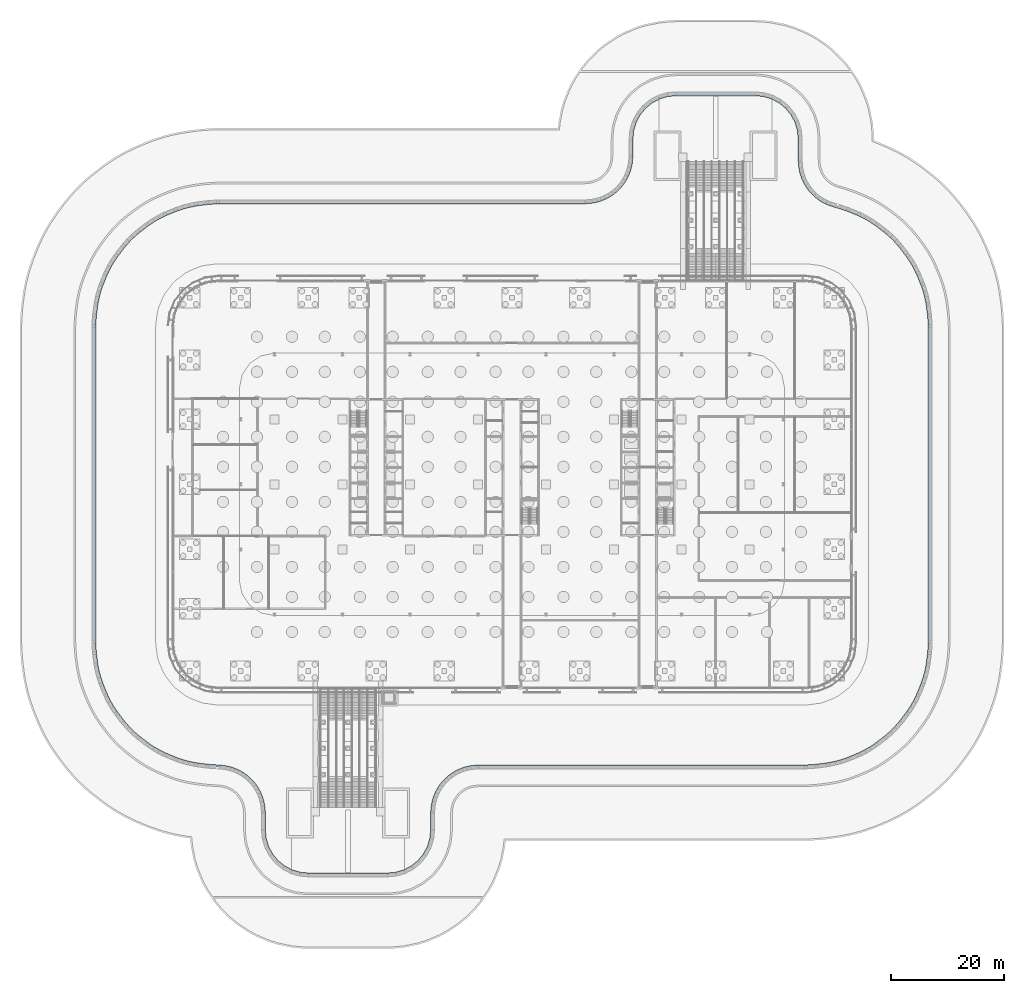
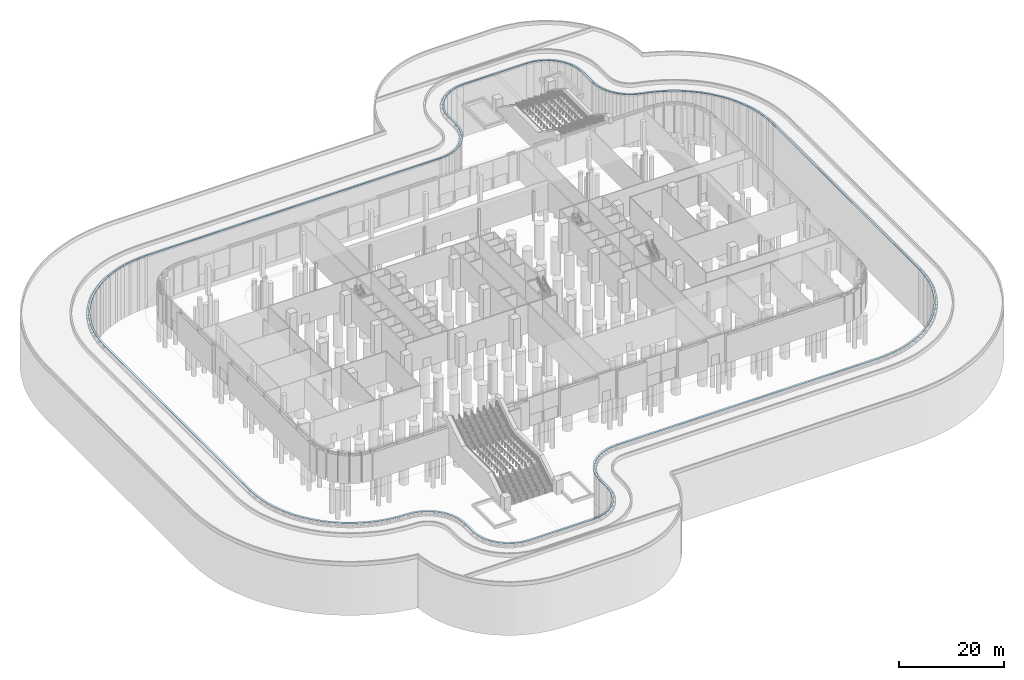
# One storey, part 17 of 48: 1 slab.
"""IFC4 building model written with IfcOpenShell, lengths in metres."""

from ifc_helpers import new_model, si_unit, direction, frame, origin, place, context, subcontext, project, spatial, polyline, outline, extrude, material, layer, layer_set, type_object, element, save


model = new_model("IFC4")

# Units and contexts
model_context = context("Model", 3, precision=1e-05, world=origin(), true_north=direction((0.0, 1.0)))
body_context = subcontext(model_context, "Body", "Model", "MODEL_VIEW")
ifc_project = project(units=[si_unit("LENGTHUNIT", "METRE"), si_unit("AREAUNIT", "SQUARE_METRE"), si_unit("VOLUMEUNIT", "CUBIC_METRE"), si_unit("PLANEANGLEUNIT", "RADIAN"), si_unit("MASSUNIT", "GRAM", prefix="KILO")], contexts=[model_context])

# Site, building, storey
site_placement = place(None, origin())
site = spatial("IfcSite", under=ifc_project, at=site_placement, CompositionType="ELEMENT")
building_placement = place(site_placement, origin())
building = spatial("IfcBuilding", under=site, at=building_placement, Name="Mahtab Terrace Research Tower", CompositionType="ELEMENT")
storey_placement = place(building_placement, origin())
storey = spatial("IfcBuildingStorey", under=building, at=storey_placement, Name="G", CompositionType="ELEMENT", Elevation=0.0)

# Slab
ifc_material = material(Name="Granite paving", Category="masonry")
ifc_layer = layer(ifc_material, 0.169921875)
ifc_layer_set = layer_set([ifc_layer], Name="Granite kerb 400")
slab_type = type_object("IfcSlabType", Name="Granite kerb 400", PredefinedType="USERDEFINED", material=ifc_layer_set)
slab_placement = place(storey_placement, frame((0.0, 0.0, -0.010009765625)))
element("IfcSlab", 1, at=slab_placement, inside=storey, type_object=slab_type, Name="Plaza kerb", ObjectType="KERB", PredefinedType="USERDEFINED", context=body_context, shape_type="SweptSolid", body=[
    extrude(outline(polyline([(-73.0810546875, 34.19189453125), (-72.7451171875, 35.180908203125), (-72.56103515625, 35.669921875), (-71.9619140625, 37.115966796875), (-71.7470703125, 37.592041015625), (-71.284912109375, 38.529052734375), (-70.761962890625, 39.43505859375), (-70.181884765625, 40.302978515625), (-69.876953125, 40.72802734375), (-68.925048828125, 41.969970703125), (-68.592041015625, 42.375), (-67.903076171875, 43.162109375), (-67.162109375, 43.903076171875), (-66.375, 44.593017578125), (-65.969970703125, 44.925048828125), (-64.72802734375, 45.876953125), (-64.302978515625, 46.181884765625), (-63.43505859375, 46.761962890625), (-62.529052734375, 47.284912109375), (-61.592041015625, 47.7470703125), (-61.115966796875, 47.962890625), (-59.669921875, 48.56103515625), (-59.180908203125, 48.74609375), (-58.19189453125, 49.0810546875), (-57.181884765625, 49.35205078125), (-56.156982421875, 49.555908203125), (-55.64111328125, 49.64111328125), (-54.090087890625, 49.845947265625), (-53.568115234375, 49.89697265625), (-52.261962890625, 49.98291015625), (-51.738037109375, 50.0), (12.803955078125, 50.0), (13.195068359375, 50.01904296875), (14.169921875, 50.114990234375), (14.93701171875, 50.26806640625), (15.68505859375, 50.4951171875), (16.407958984375, 50.7939453125), (17.097900390625, 51.1630859375), (17.748046875, 51.597900390625), (18.35302734375, 52.093994140625), (18.906005859375, 52.64697265625), (19.402099609375, 53.251953125), (19.8369140625, 53.902099609375), (20.2060546875, 54.592041015625), (20.5048828125, 55.31494140625), (20.73193359375, 56.06298828125), (20.885009765625, 56.830078125), (20.98095703125, 57.804931640625), (21.0, 58.196044921875), (21.0, 61.114990234375), (21.154052734375, 62.676025390625), (21.60888671875, 64.176025390625), (22.347900390625, 65.56005859375), (23.343017578125, 66.77197265625), (24.554931640625, 67.76708984375), (25.93896484375, 68.506103515625), (27.43896484375, 68.9609375), (29.0, 69.114990234375), (43.0, 69.114990234375), (44.56103515625, 68.9609375), (46.06103515625, 68.506103515625), (47.445068359375, 67.76708984375), (48.656982421875, 66.77197265625), (49.652099609375, 65.56005859375), (50.39111328125, 64.176025390625), (50.845947265625, 62.676025390625), (51.0, 61.114990234375), (51.0, 57.343017578125), (51.01904296875, 56.951904296875), (51.114990234375, 55.97705078125), (51.26806640625, 55.2099609375), (51.4951171875, 54.4619140625), (51.7939453125, 53.739013671875), (52.1630859375, 53.049072265625), (52.596923828125, 52.39892578125), (53.093017578125, 51.7939453125), (53.64697265625, 51.240966796875), (54.2509765625, 50.7451171875), (54.90087890625, 50.31005859375), (55.591064453125, 49.94189453125), (56.31396484375, 49.64208984375), (57.375, 49.320068359375), (57.501953125, 49.283935546875), (57.68994140625, 49.23291015625), (58.19091796875, 49.0810546875), (59.180908203125, 48.7451171875), (59.669921875, 48.56103515625), (61.115966796875, 47.9619140625), (61.592041015625, 47.7470703125), (62.529052734375, 47.284912109375), (63.43505859375, 46.761962890625), (64.302978515625, 46.181884765625), (64.72802734375, 45.876953125), (65.969970703125, 44.925048828125), (66.375, 44.592041015625), (67.162109375, 43.903076171875), (67.903076171875, 43.162109375), (68.593017578125, 42.375), (68.925048828125, 41.969970703125), (69.876953125, 40.72802734375), (70.181884765625, 40.302978515625), (70.761962890625, 39.43505859375), (71.284912109375, 38.529052734375), (71.7470703125, 37.592041015625), (71.962890625, 37.115966796875), (72.56103515625, 35.669921875), (72.74609375, 35.180908203125), (73.0810546875, 34.19189453125), (73.35205078125, 33.181884765625), (73.555908203125, 32.156982421875), (73.64111328125, 31.64111328125), (73.845947265625, 30.090087890625), (73.89697265625, 29.568115234375), (73.98291015625, 28.261962890625), (74.0, 27.738037109375), (74.0, -27.738037109375), (73.98291015625, -28.261962890625), (73.89697265625, -29.568115234375), (73.845947265625, -30.090087890625), (73.64111328125, -31.64111328125), (73.555908203125, -32.156982421875), (73.35205078125, -33.181884765625), (73.0810546875, -34.19189453125), (72.7451171875, -35.180908203125), (72.56103515625, -35.669921875), (71.9619140625, -37.115966796875), (71.7470703125, -37.592041015625), (71.284912109375, -38.529052734375), (70.761962890625, -39.43505859375), (70.181884765625, -40.302978515625), (69.876953125, -40.72802734375), (68.925048828125, -41.969970703125), (68.592041015625, -42.375), (67.903076171875, -43.162109375), (67.162109375, -43.903076171875), (66.375, -44.593017578125), (65.969970703125, -44.925048828125), (64.72802734375, -45.876953125), (64.302978515625, -46.181884765625), (63.43505859375, -46.761962890625), (62.529052734375, -47.284912109375), (61.592041015625, -47.7470703125), (61.115966796875, -47.962890625), (59.669921875, -48.56103515625), (59.180908203125, -48.74609375), (58.19189453125, -49.0810546875), (57.181884765625, -49.35205078125), (56.156982421875, -49.555908203125), (55.64111328125, -49.64111328125), (54.090087890625, -49.845947265625), (53.568115234375, -49.89697265625), (52.261962890625, -49.98291015625), (51.738037109375, -50.0), (-5.803955078125, -50.0), (-6.195068359375, -50.01904296875), (-7.169921875, -50.114990234375), (-7.93701171875, -50.26806640625), (-8.68505859375, -50.4951171875), (-9.407958984375, -50.7939453125), (-10.097900390625, -51.1630859375), (-10.748046875, -51.597900390625), (-11.35302734375, -52.093994140625), (-11.906005859375, -52.64697265625), (-12.402099609375, -53.251953125), (-12.8369140625, -53.902099609375), (-13.2060546875, -54.592041015625), (-13.5048828125, -55.31494140625), (-13.73193359375, -56.06298828125), (-13.885009765625, -56.830078125), (-13.98095703125, -57.804931640625), (-14.0, -58.196044921875), (-14.0, -61.114990234375), (-14.154052734375, -62.676025390625), (-14.60888671875, -64.176025390625), (-15.347900390625, -65.56005859375), (-16.343017578125, -66.77197265625), (-17.554931640625, -67.76708984375), (-18.93896484375, -68.506103515625), (-20.43896484375, -68.9609375), (-22.0, -69.114990234375), (-36.0, -69.114990234375), (-37.56103515625, -68.9609375), (-39.06103515625, -68.506103515625), (-40.445068359375, -67.76708984375), (-41.656982421875, -66.77197265625), (-42.652099609375, -65.56005859375), (-43.39111328125, -64.176025390625), (-43.845947265625, -62.676025390625), (-44.0, -61.114990234375), (-44.0, -58.19189453125), (-44.01806640625, -57.80908203125), (-44.110107421875, -56.85400390625), (-44.257080078125, -56.10302734375), (-44.47509765625, -55.367919921875), (-44.761962890625, -54.657958984375), (-45.115966796875, -53.97900390625), (-45.533935546875, -53.3369140625), (-46.010986328125, -52.738037109375), (-46.5439453125, -52.18701171875), (-47.126953125, -51.68994140625), (-47.7548828125, -51.251953125), (-48.423095703125, -50.875), (-49.123046875, -50.56494140625), (-49.85009765625, -50.322998046875), (-50.596923828125, -50.152099609375), (-51.547119140625, -50.029052734375), (-51.929931640625, -49.998046875), (-52.0, -49.99609375), (-52.261962890625, -49.98291015625), (-53.568115234375, -49.89697265625), (-54.090087890625, -49.845947265625), (-55.64111328125, -49.64111328125), (-56.156982421875, -49.555908203125), (-57.181884765625, -49.35205078125), (-58.19189453125, -49.0810546875), (-59.180908203125, -48.7451171875), (-59.669921875, -48.56103515625), (-61.115966796875, -47.9619140625), (-61.592041015625, -47.7470703125), (-62.529052734375, -47.284912109375), (-63.43505859375, -46.761962890625), (-64.302978515625, -46.181884765625), (-64.72802734375, -45.876953125), (-65.969970703125, -44.925048828125), (-66.375, -44.592041015625), (-67.162109375, -43.903076171875), (-67.903076171875, -43.162109375), (-68.593017578125, -42.375), (-68.925048828125, -41.969970703125), (-69.876953125, -40.72802734375), (-70.181884765625, -40.302978515625), (-70.761962890625, -39.43505859375), (-71.284912109375, -38.529052734375), (-71.7470703125, -37.592041015625), (-71.962890625, -37.115966796875), (-72.56103515625, -35.669921875), (-72.74609375, -35.180908203125), (-73.0810546875, -34.19189453125), (-73.35205078125, -33.181884765625), (-73.555908203125, -32.156982421875), (-73.64111328125, -31.64111328125), (-73.845947265625, -30.090087890625), (-73.89697265625, -29.568115234375), (-73.98291015625, -28.261962890625), (-74.0, -27.738037109375), (-74.0, 27.738037109375), (-73.98291015625, 28.261962890625), (-73.89697265625, 29.568115234375), (-73.845947265625, 30.090087890625), (-73.64111328125, 31.64111328125), (-73.555908203125, 32.156982421875), (-73.35205078125, 33.181884765625), (-73.0810546875, 34.19189453125)]), holes=[polyline([(-73.162109375, 32.0859375), (-73.2451171875, 31.5830078125), (-73.447998046875, 30.0439453125), (-73.498046875, 29.534912109375), (-73.5830078125, 28.241943359375), (-73.60009765625, 27.73095703125), (-73.60009765625, -27.73095703125), (-73.5830078125, -28.241943359375), (-73.498046875, -29.534912109375), (-73.447998046875, -30.0439453125), (-73.2451171875, -31.58203125), (-73.162109375, -32.0859375), (-72.9619140625, -33.091064453125), (-72.697998046875, -34.074951171875), (-72.368896484375, -35.0458984375), (-72.18896484375, -35.52294921875), (-71.595947265625, -36.9560546875), (-71.385009765625, -37.4208984375), (-70.931884765625, -38.340087890625), (-70.422119140625, -39.222900390625), (-69.85302734375, -40.074951171875), (-69.555908203125, -40.489990234375), (-68.612060546875, -41.720947265625), (-68.2880859375, -42.115966796875), (-67.611083984375, -42.887939453125), (-66.887939453125, -43.611083984375), (-66.115966796875, -44.287109375), (-65.720947265625, -44.612060546875), (-64.489990234375, -45.555908203125), (-64.075927734375, -45.85302734375), (-63.222900390625, -46.422119140625), (-62.340087890625, -46.931884765625), (-61.4208984375, -47.385009765625), (-60.95703125, -47.594970703125), (-59.52294921875, -48.18896484375), (-59.0458984375, -48.368896484375), (-58.075927734375, -48.697998046875), (-57.091064453125, -48.9619140625), (-56.0859375, -49.162109375), (-55.5830078125, -49.2451171875), (-54.0439453125, -49.447998046875), (-53.534912109375, -49.498046875), (-52.239013671875, -49.5830078125), (-51.98291015625, -49.595947265625), (-51.9169921875, -49.597900390625), (-51.89794921875, -49.59912109375), (-51.514892578125, -49.6298828125), (-51.49609375, -49.632080078125), (-50.544921875, -49.756103515625), (-50.507080078125, -49.761962890625), (-49.760986328125, -49.93310546875), (-49.72412109375, -49.944091796875), (-48.9970703125, -50.18505859375), (-48.9609375, -50.198974609375), (-48.260986328125, -50.510009765625), (-48.22607421875, -50.527099609375), (-47.55908203125, -50.903076171875), (-47.52587890625, -50.924072265625), (-46.89794921875, -51.362060546875), (-46.867919921875, -51.385986328125), (-46.284912109375, -51.883056640625), (-46.257080078125, -51.908935546875), (-45.72412109375, -52.458984375), (-45.698974609375, -52.488037109375), (-45.220947265625, -53.0869140625), (-45.198974609375, -53.117919921875), (-44.781005859375, -53.760986328125), (-44.761962890625, -53.7939453125), (-44.406982421875, -54.472900390625), (-44.39111328125, -54.508056640625), (-44.10400390625, -55.218017578125), (-44.091064453125, -55.25390625), (-43.873046875, -55.989013671875), (-43.864013671875, -56.02587890625), (-43.718017578125, -56.778076171875), (-43.7119140625, -56.81591796875), (-43.6201171875, -57.77001953125), (-43.618896484375, -57.7890625), (-43.60009765625, -58.173095703125), (-43.60009765625, -58.19189453125), (-43.60009765625, -61.094970703125), (-43.451904296875, -62.596923828125), (-43.02001953125, -64.02294921875), (-42.318115234375, -65.3359375), (-41.373046875, -66.488037109375), (-40.220947265625, -67.43310546875), (-38.907958984375, -68.135009765625), (-37.48193359375, -68.56689453125), (-35.97998046875, -68.715087890625), (-22.02001953125, -68.715087890625), (-20.51806640625, -68.56689453125), (-19.092041015625, -68.135009765625), (-17.779052734375, -67.43310546875), (-16.626953125, -66.488037109375), (-15.681884765625, -65.3359375), (-14.97998046875, -64.02294921875), (-14.548095703125, -62.596923828125), (-14.39990234375, -61.094970703125), (-14.39990234375, -58.196044921875), (-14.39990234375, -58.177001953125), (-14.3798828125, -57.784912109375), (-14.37890625, -57.764892578125), (-14.282958984375, -56.791015625), (-14.277099609375, -56.751953125), (-14.125, -55.985107421875), (-14.114990234375, -55.947021484375), (-13.887939453125, -55.198974609375), (-13.875, -55.162109375), (-13.574951171875, -54.43896484375), (-13.55908203125, -54.403076171875), (-13.18994140625, -53.712890625), (-13.169921875, -53.679931640625), (-12.735107421875, -53.029052734375), (-12.7119140625, -52.998046875), (-12.215087890625, -52.39306640625), (-12.18896484375, -52.364013671875), (-11.635986328125, -51.81103515625), (-11.60693359375, -51.784912109375), (-11.001953125, -51.2880859375), (-10.970947265625, -51.264892578125), (-10.320068359375, -50.830078125), (-10.287109375, -50.81005859375), (-9.596923828125, -50.44091796875), (-9.56103515625, -50.425048828125), (-8.837890625, -50.125), (-8.801025390625, -50.112060546875), (-8.052978515625, -49.885009765625), (-8.014892578125, -49.875), (-7.248046875, -49.722900390625), (-7.208984375, -49.717041015625), (-6.235107421875, -49.62109375), (-6.215087890625, -49.6201171875), (-5.822998046875, -49.60009765625), (-5.803955078125, -49.60009765625), (51.73095703125, -49.60009765625), (52.241943359375, -49.5830078125), (53.534912109375, -49.498046875), (54.0439453125, -49.447998046875), (55.58203125, -49.2451171875), (56.0859375, -49.162109375), (57.091064453125, -48.9619140625), (58.074951171875, -48.697998046875), (59.0458984375, -48.368896484375), (59.52294921875, -48.18896484375), (60.9560546875, -47.595947265625), (61.4208984375, -47.385009765625), (62.340087890625, -46.931884765625), (63.222900390625, -46.422119140625), (64.074951171875, -45.85302734375), (64.489990234375, -45.555908203125), (65.720947265625, -44.612060546875), (66.115966796875, -44.2880859375), (66.887939453125, -43.611083984375), (67.611083984375, -42.887939453125), (68.287109375, -42.115966796875), (68.612060546875, -41.720947265625), (69.555908203125, -40.489990234375), (69.85302734375, -40.075927734375), (70.422119140625, -39.222900390625), (70.931884765625, -38.340087890625), (71.385009765625, -37.4208984375), (71.594970703125, -36.95703125), (72.18896484375, -35.52294921875), (72.368896484375, -35.0458984375), (72.697998046875, -34.075927734375), (72.9619140625, -33.091064453125), (73.162109375, -32.0859375), (73.2451171875, -31.5830078125), (73.447998046875, -30.0439453125), (73.498046875, -29.534912109375), (73.5830078125, -28.241943359375), (73.60009765625, -27.73095703125), (73.60009765625, 27.73095703125), (73.5830078125, 28.241943359375), (73.498046875, 29.534912109375), (73.447998046875, 30.0439453125), (73.2451171875, 31.58203125), (73.162109375, 32.0859375), (72.9619140625, 33.091064453125), (72.697998046875, 34.074951171875), (72.368896484375, 35.0458984375), (72.18896484375, 35.52294921875), (71.595947265625, 36.9560546875), (71.385009765625, 37.4208984375), (70.931884765625, 38.340087890625), (70.422119140625, 39.222900390625), (69.85302734375, 40.074951171875), (69.555908203125, 40.489990234375), (68.612060546875, 41.720947265625), (68.2880859375, 42.115966796875), (67.611083984375, 42.887939453125), (66.887939453125, 43.611083984375), (66.115966796875, 44.287109375), (65.720947265625, 44.612060546875), (64.489990234375, 45.555908203125), (64.075927734375, 45.85302734375), (63.222900390625, 46.422119140625), (62.340087890625, 46.931884765625), (61.4208984375, 47.385009765625), (60.95703125, 47.594970703125), (59.52294921875, 48.18896484375), (59.0458984375, 48.368896484375), (58.069091796875, 48.699951171875), (57.580078125, 48.84912109375), (57.39794921875, 48.89794921875), (57.39208984375, 48.89892578125), (57.26611328125, 48.93505859375), (57.259033203125, 48.93701171875), (56.197998046875, 49.259033203125), (56.160888671875, 49.27294921875), (55.43798828125, 49.572021484375), (55.403076171875, 49.589111328125), (54.712890625, 49.9580078125), (54.678955078125, 49.97802734375), (54.029052734375, 50.412109375), (53.9970703125, 50.43603515625), (53.39306640625, 50.931884765625), (53.364013671875, 50.9580078125), (52.81103515625, 51.510986328125), (52.783935546875, 51.541015625), (52.2880859375, 52.14501953125), (52.264892578125, 52.177001953125), (51.830078125, 52.826904296875), (51.81005859375, 52.861083984375), (51.44091796875, 53.551025390625), (51.425048828125, 53.5859375), (51.125, 54.30908203125), (51.112060546875, 54.345947265625), (50.885009765625, 55.093994140625), (50.875, 55.132080078125), (50.722900390625, 55.89892578125), (50.717041015625, 55.93798828125), (50.62109375, 56.912109375), (50.6201171875, 56.931884765625), (50.60009765625, 57.323974609375), (50.60009765625, 57.343017578125), (50.60009765625, 61.094970703125), (50.451904296875, 62.596923828125), (50.02001953125, 64.02294921875), (49.318115234375, 65.3359375), (48.373046875, 66.488037109375), (47.220947265625, 67.43310546875), (45.907958984375, 68.135009765625), (44.48193359375, 68.56689453125), (42.97998046875, 68.715087890625), (29.02001953125, 68.715087890625), (27.51806640625, 68.56689453125), (26.092041015625, 68.135009765625), (24.779052734375, 67.43310546875), (23.626953125, 66.488037109375), (22.681884765625, 65.3359375), (21.97998046875, 64.02294921875), (21.548095703125, 62.596923828125), (21.39990234375, 61.094970703125), (21.39990234375, 58.196044921875), (21.39990234375, 58.177001953125), (21.3798828125, 57.784912109375), (21.37890625, 57.764892578125), (21.282958984375, 56.791015625), (21.277099609375, 56.751953125), (21.125, 55.985107421875), (21.114990234375, 55.947021484375), (20.887939453125, 55.198974609375), (20.875, 55.162109375), (20.574951171875, 54.43896484375), (20.55908203125, 54.403076171875), (20.18994140625, 53.712890625), (20.169921875, 53.679931640625), (19.735107421875, 53.029052734375), (19.7119140625, 52.998046875), (19.215087890625, 52.39306640625), (19.18896484375, 52.364013671875), (18.635986328125, 51.81103515625), (18.60693359375, 51.784912109375), (18.001953125, 51.2880859375), (17.970947265625, 51.264892578125), (17.320068359375, 50.830078125), (17.287109375, 50.81005859375), (16.596923828125, 50.44091796875), (16.56103515625, 50.425048828125), (15.837890625, 50.125), (15.801025390625, 50.112060546875), (15.052978515625, 49.885009765625), (15.014892578125, 49.875), (14.248046875, 49.722900390625), (14.208984375, 49.717041015625), (13.235107421875, 49.62109375), (13.215087890625, 49.6201171875), (12.822998046875, 49.60009765625), (12.803955078125, 49.60009765625), (-51.73095703125, 49.60009765625), (-52.241943359375, 49.5830078125), (-53.534912109375, 49.498046875), (-54.0439453125, 49.447998046875), (-55.58203125, 49.2451171875), (-56.0859375, 49.162109375), (-57.091064453125, 48.9619140625), (-58.074951171875, 48.697998046875), (-59.0458984375, 48.368896484375), (-59.52294921875, 48.18896484375), (-60.9560546875, 47.595947265625), (-61.4208984375, 47.385009765625), (-62.340087890625, 46.931884765625), (-63.222900390625, 46.422119140625), (-64.074951171875, 45.85302734375), (-64.489990234375, 45.555908203125), (-65.720947265625, 44.612060546875), (-66.115966796875, 44.2880859375), (-66.887939453125, 43.611083984375), (-67.611083984375, 42.887939453125), (-68.287109375, 42.115966796875), (-68.612060546875, 41.720947265625), (-69.555908203125, 40.489990234375), (-69.85302734375, 40.075927734375), (-70.422119140625, 39.222900390625), (-70.931884765625, 38.340087890625), (-71.385009765625, 37.4208984375), (-71.594970703125, 36.95703125), (-72.18896484375, 35.52294921875), (-72.368896484375, 35.0458984375), (-72.697998046875, 34.075927734375), (-72.9619140625, 33.091064453125), (-73.162109375, 32.0859375)])]), origin(), (0.0, 0.0, 1.0), 0.169921875),
])

save(model, "model.ifc")
